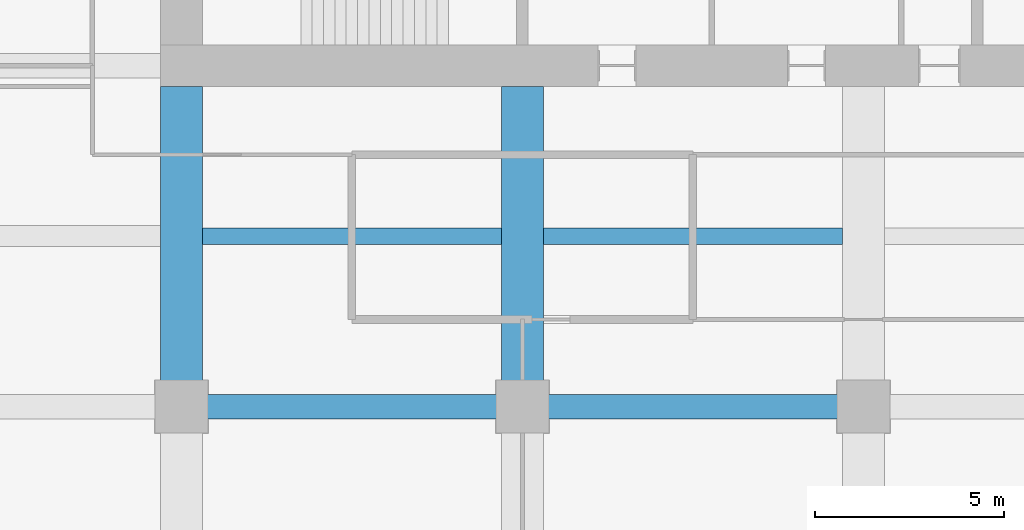
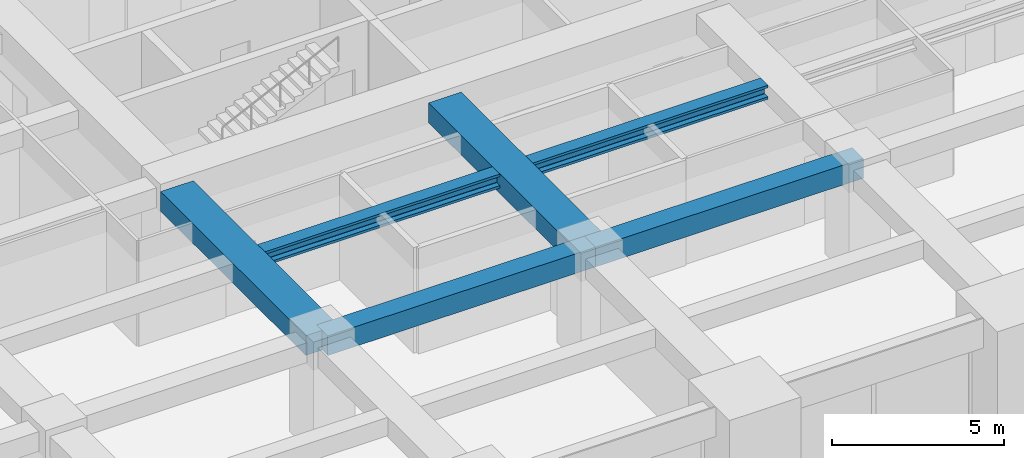
# One storey, part 8 of 32: 6 beams.
"""IFC4 building model written with IfcOpenShell, lengths in metres."""

import ifcopenshell
import ifcopenshell.guid

model = None  # the IFC model being written
_history = None  # IfcOwnerHistory: only IFC2X3 demands one
_inside = {}  # id of a spatial element -> (the spatial element, [elements in it])
_under = {}  # id of a project, library or spatial element -> (it, [spatial elements below it])
_declared = {}  # id of a project -> (the project, [libraries it declares])
_typed = {}  # id of a type object -> (the type object, [elements of that type])
_made_of = {}  # id of a material, layer set ... -> (it, [elements and type objects made of it])


def new_model(schema):
    """Start an empty IFC model of exactly this schema.

    Asked for "IFC4X3", IfcOpenShell would pick the latest addendum, in which some entities
    have other attributes; the version numbers below select the first issue.
    IFC2X3 requires an IfcOwnerHistory on every rooted entity: one is made here for all.
    """
    global model, _history
    if schema == "IFC4X3":
        model = ifcopenshell.file(schema_version=(4, 3, 0, 0))
    else:
        model = ifcopenshell.file(schema=schema)
    _inside.clear()
    _under.clear()
    _declared.clear()
    _typed.clear()
    _made_of.clear()
    _history = None
    if model.schema == "IFC2X3":
        org = make("IfcOrganization", Name="unknown")
        user = make(
            "IfcPersonAndOrganization",
            ThePerson=make("IfcPerson", FamilyName="unknown"),
            TheOrganization=org,
        )
        app = make(
            "IfcApplication",
            ApplicationDeveloper=org,
            Version="unknown",
            ApplicationFullName="unknown",
            ApplicationIdentifier="unknown",
        )
        _history = make(
            "IfcOwnerHistory",
            OwningUser=user,
            OwningApplication=app,
            ChangeAction="ADDED",
            CreationDate=0,
        )
    return model


def make(cls, **values):
    """One entity of the class cls with the attributes given. An attribute that is None is left unset."""
    return model.create_entity(
        cls, **{name: value for name, value in values.items() if value is not None}
    )


def rooted(cls, **values):
    """An entity with a GlobalId (a new one), such as an element, a storey or a relation."""
    return make(cls, GlobalId=ifcopenshell.guid.new(), OwnerHistory=_history, **values)


def si_unit(unit_type, name, prefix=None):
    """IfcSIUnit, for example si_unit("LENGTHUNIT", "METRE", prefix="MILLI")."""
    return make("IfcSIUnit", UnitType=unit_type, Prefix=prefix, Name=name)


def assignment(units):
    """IfcUnitAssignment: the units of a project."""
    return None if units is None else make("IfcUnitAssignment", Units=units)


def point(xyz):
    """IfcCartesianPoint."""
    return None if xyz is None else make("IfcCartesianPoint", Coordinates=xyz)


def direction(xyz):
    """IfcDirection."""
    return None if xyz is None else make("IfcDirection", DirectionRatios=xyz)


def frame(location, z_axis=None, x_axis=None):
    """IfcAxis2Placement3D, a coordinate frame: its origin and axes. An axis left out is left unset."""
    return make(
        "IfcAxis2Placement3D",
        Location=point(location),
        Axis=direction(z_axis),
        RefDirection=direction(x_axis),
    )


def frame_2d(location, x_axis=None):
    """IfcAxis2Placement2D, a coordinate frame in the plane: its origin and x axis."""
    return make(
        "IfcAxis2Placement2D", Location=point(location), RefDirection=direction(x_axis)
    )


def origin():
    """The frame at (0, 0, 0) with its axes left unset."""
    return frame((0.0, 0.0, 0.0))


def origin_2d():
    """The frame at (0, 0) in the plane with its x axis left unset."""
    return frame_2d((0.0, 0.0))


def place(relative_to, where):
    """IfcLocalPlacement: puts the frame where relative to a parent placement (None: the world)."""
    return make(
        "IfcLocalPlacement", PlacementRelTo=relative_to, RelativePlacement=where
    )


def context(
    kind, dimensions, precision=None, world=None, true_north=None, identifier=None
):
    """IfcGeometricRepresentationContext, for example the 3D "Model" context."""
    return make(
        "IfcGeometricRepresentationContext",
        ContextIdentifier=identifier,
        ContextType=kind,
        CoordinateSpaceDimension=dimensions,
        Precision=precision,
        WorldCoordinateSystem=world,
        TrueNorth=true_north,
    )


def subcontext(parent, identifier, kind, view, scale=None):
    """IfcGeometricRepresentationSubContext, for example "Body" below "Model"."""
    return make(
        "IfcGeometricRepresentationSubContext",
        ContextIdentifier=identifier,
        ContextType=kind,
        ParentContext=parent,
        TargetScale=scale,
        TargetView=view,
    )


def project(units=None, contexts=None):
    """IfcProject with its units and contexts."""
    return rooted(
        "IfcProject",
        Name="project",
        RepresentationContexts=contexts,
        UnitsInContext=assignment(units),
    )


def spatial(cls, under=None, at=None, **own):
    """A site, building, storey or space (cls), placed at a placement, below another one or the project."""
    s = rooted(cls, ObjectPlacement=at, **own)
    if under is not None:
        _under.setdefault(under.id(), (under, []))[1].append(s)
    return s


def profile(cls, at=None, kind="AREA", **sizes):
    """A parametric profile (cls). Its sizes go by their IFC names, for example OverallWidth=200.0."""
    return make(cls, ProfileType=kind, Position=at, **sizes)


def rectangle(**sizes):
    """IfcRectangleProfileDef."""
    return profile("IfcRectangleProfileDef", **sizes)


def i_section(**sizes):
    """IfcIShapeProfileDef."""
    return profile("IfcIShapeProfileDef", **sizes)


def extrude(swept, where, along, depth):
    """IfcExtrudedAreaSolid: the profile swept, set in the frame where, extruded along a direction by depth."""
    return make(
        "IfcExtrudedAreaSolid",
        SweptArea=swept,
        Position=where,
        ExtrudedDirection=direction(along),
        Depth=depth,
    )


def shape(context_of_items, identifier, shape_type, items):
    """IfcShapeRepresentation: the items that make up one representation, for example the "Body"."""
    return make(
        "IfcShapeRepresentation",
        ContextOfItems=context_of_items,
        RepresentationIdentifier=identifier,
        RepresentationType=shape_type,
        Items=items,
    )


def material(Name=None, Category=None):
    """IfcMaterial."""
    return make("IfcMaterial", Name=Name, Category=Category)


def material_profile(
    of_material, cross_section, Name=None, Category=None, Priority=None
):
    """IfcMaterialProfile: a cross section and its material."""
    return make(
        "IfcMaterialProfile",
        Name=Name,
        Material=of_material,
        Profile=cross_section,
        Priority=Priority,
        Category=Category,
    )


def profile_set(profiles, Name=None, composite=None):
    """IfcMaterialProfileSet."""
    return make(
        "IfcMaterialProfileSet",
        Name=Name,
        MaterialProfiles=profiles,
        CompositeProfile=composite,
    )


def made_of(thing, what):
    """Note that an element or type object is made of a material, layer set ...; save() writes the relation."""
    if what is not None:
        _made_of.setdefault(what.id(), (what, []))[1].append(thing)
    return thing


def type_object(cls, material=None, **own):
    """A type object (cls), such as IfcWallType, which elements share."""
    return made_of(rooted(cls, **own), material)


def element(
    cls,
    number,
    at=None,
    inside=None,
    cuts=None,
    type_object=None,
    material=None,
    context=None,
    identifier="Body",
    shape_type=None,
    held_by="IfcProductDefinitionShape",
    body=None,
    shapes=None,
    **own,
):
    """One element of the class cls, such as IfcWall. Its Tag is "e" and its number.

    at: its placement. inside: the storey or other place that contains it. cuts: it is an
    opening in that element (IfcRelVoidsElement). A single representation is given by context,
    identifier, shape_type and body (its items); several are given by shapes. held_by: the class
    of the entity that holds the representations. save() writes the other relations.
    """
    e = rooted(cls, Tag="e%d" % number, ObjectPlacement=at, **own)
    if body is not None:
        shapes = [shape(context, identifier, shape_type, body)]
    if shapes is not None:
        e.Representation = make(held_by, Representations=shapes)
    if inside is not None:
        _inside.setdefault(inside.id(), (inside, []))[1].append(e)
    if cuts is not None:
        rooted(
            "IfcRelVoidsElement", RelatingBuildingElement=cuts, RelatedOpeningElement=e
        )
    if type_object is not None:
        _typed.setdefault(type_object.id(), (type_object, []))[1].append(e)
    return made_of(e, material)


def aggregate(whole, parts):
    """IfcRelAggregates: a whole, such as a stair, and the parts it consists of."""
    return rooted("IfcRelAggregates", RelatingObject=whole, RelatedObjects=parts)


def save(model, path):
    """Write the relations noted so far, then the file.

    IfcRelAggregates (storeys below a building ...), IfcRelContainedInSpatialStructure (elements
    in a storey), IfcRelDefinesByType, IfcRelAssociatesMaterial and IfcRelDeclares: one each for
    every whole, place, type object, material and project.
    """
    for whole, parts in _under.values():
        aggregate(whole, parts)
    for where, things in _inside.values():
        rooted(
            "IfcRelContainedInSpatialStructure",
            RelatedElements=things,
            RelatingStructure=where,
        )
    for kind, things in _typed.values():
        rooted("IfcRelDefinesByType", RelatedObjects=things, RelatingType=kind)
    for what, things in _made_of.values():
        rooted("IfcRelAssociatesMaterial", RelatedObjects=things, RelatingMaterial=what)
    for by, libraries in _declared.values():
        rooted("IfcRelDeclares", RelatingContext=by, RelatedDefinitions=libraries)
    model.write(path)


model = new_model("IFC4")

# Units and contexts
model_context = context("Model", 3, precision=1e-05, world=origin(), true_north=direction((0.0, 1.0)))
body_context = subcontext(model_context, "Body", "Model", "MODEL_VIEW")
ifc_project = project(units=[si_unit("LENGTHUNIT", "METRE"), si_unit("AREAUNIT", "SQUARE_METRE"), si_unit("VOLUMEUNIT", "CUBIC_METRE"), si_unit("PLANEANGLEUNIT", "RADIAN"), si_unit("MASSUNIT", "GRAM", prefix="KILO")], contexts=[model_context])

# Site, building, storey
site_placement = place(None, origin())
site = spatial("IfcSite", under=ifc_project, at=site_placement, CompositionType="ELEMENT")
building_placement = place(site_placement, origin())
building = spatial("IfcBuilding", under=site, at=building_placement, Name="Zorevar Civic Tower", CompositionType="ELEMENT")
storey_placement = place(building_placement, frame((0.0, 0.0, 198.199951171875)))
storey = spatial("IfcBuildingStorey", under=building, at=storey_placement, Name="L48", CompositionType="ELEMENT", Elevation=198.199951171875)

# Beams
ifc_material_1 = material(Name="Concrete C50/60", Category="concrete")
ifc_material_profile_1 = material_profile(ifc_material_1, rectangle(XDim=1.10009765625, YDim=0.699951171875, at=origin_2d()), Name="RC 1100x700")
ifc_profile_set_1 = profile_set([ifc_material_profile_1], Name="Concrete C50/60")
beam_type_1 = type_object("IfcBeamType", Name="Beam RC 1100x700", PredefinedType="BEAM", material=ifc_profile_set_1)
for number, where, z_axis, x_axis, name in (
    (1, (18.0, 9.0, 3.400146484375), (0.0, 1.0, 0.0), (-1.0, 0.0, 0.0), "Girder L49"),
    (2, (27.0, 9.0, 3.400146484375), (0.0, 1.0, 0.0), (-1.0, 0.0, 0.0), "Girder L49"),
):
    element("IfcBeam", number, at=place(storey_placement, frame(where, z_axis=z_axis, x_axis=x_axis)), inside=storey, type_object=beam_type_1, Name=name, PredefinedType="BEAM", context=body_context, shape_type="SweptSolid", body=[
        extrude(rectangle(XDim=1.10009765625, YDim=0.699951171875, at=origin_2d()), origin(), (0.0, 0.0, 1.0), 8.449951171875),
    ])
ifc_material_2 = material(Name="Concrete C50/60", Category="concrete")
ifc_material_profile_2 = material_profile(ifc_material_2, rectangle(XDim=0.64990234375, YDim=0.699951171875, at=origin_2d()), Name="RC 650x700")
ifc_profile_set_2 = profile_set([ifc_material_profile_2], Name="Concrete C50/60")
beam_type_2 = type_object("IfcBeamType", Name="Beam RC 650x700", PredefinedType="BEAM", material=ifc_profile_set_2)
for number, where, z_axis, x_axis, name in (
    (3, (18.0, 9.0, 3.400146484375), (1.0, 0.0, 0.0), (0.0, 1.0, 0.0), "Girder L49"),
    (4, (27.0, 9.0, 3.400146484375), (1.0, 0.0, 0.0), (0.0, 1.0, 0.0), "Girder L49"),
):
    element("IfcBeam", number, at=place(storey_placement, frame(where, z_axis=z_axis, x_axis=x_axis)), inside=storey, type_object=beam_type_2, Name=name, PredefinedType="BEAM", context=body_context, shape_type="SweptSolid", body=[
        extrude(rectangle(XDim=0.64990234375, YDim=0.699951171875, at=origin_2d()), origin(), (0.0, 0.0, 1.0), 9.0),
    ])
ifc_material_3 = material(Name="Steel S460M (HISTAR 460)", Category="steel")
ifc_material_profile_3 = material_profile(ifc_material_3, i_section(OverallWidth=0.431884765625, OverallDepth=0.498046875, WebThickness=0.0556640625, FlangeThickness=0.0888671875, FilletRadius=0.014892578125, at=origin_2d()), Name="HD 400x744")
ifc_profile_set_3 = profile_set([ifc_material_profile_3], Name="Steel S460M (HISTAR 460)")
beam_type_3 = type_object("IfcBeamType", Name="Core bay beam HD 400x744", PredefinedType="BEAM", material=ifc_profile_set_3)
for number, where, z_axis, x_axis, name in (
    (5, (18.550048828125, 13.5, 3.5009765625), (1.0, 0.0, 0.0), (0.0, 1.0, 0.0), "Secondary beam L49"),
    (6, (27.550048828125, 13.5, 3.5009765625), (1.0, 0.0, 0.0), (0.0, 1.0, 0.0), "Secondary beam L49"),
):
    element("IfcBeam", number, at=place(storey_placement, frame(where, z_axis=z_axis, x_axis=x_axis)), inside=storey, type_object=beam_type_3, Name=name, PredefinedType="BEAM", context=body_context, shape_type="SweptSolid", body=[
        extrude(i_section(OverallWidth=0.431884765625, OverallDepth=0.498046875, WebThickness=0.0556640625, FlangeThickness=0.0888671875, FilletRadius=0.014892578125, at=origin_2d()), origin(), (0.0, 0.0, 1.0), 7.89990234375),
    ])

save(model, "model.ifc")
